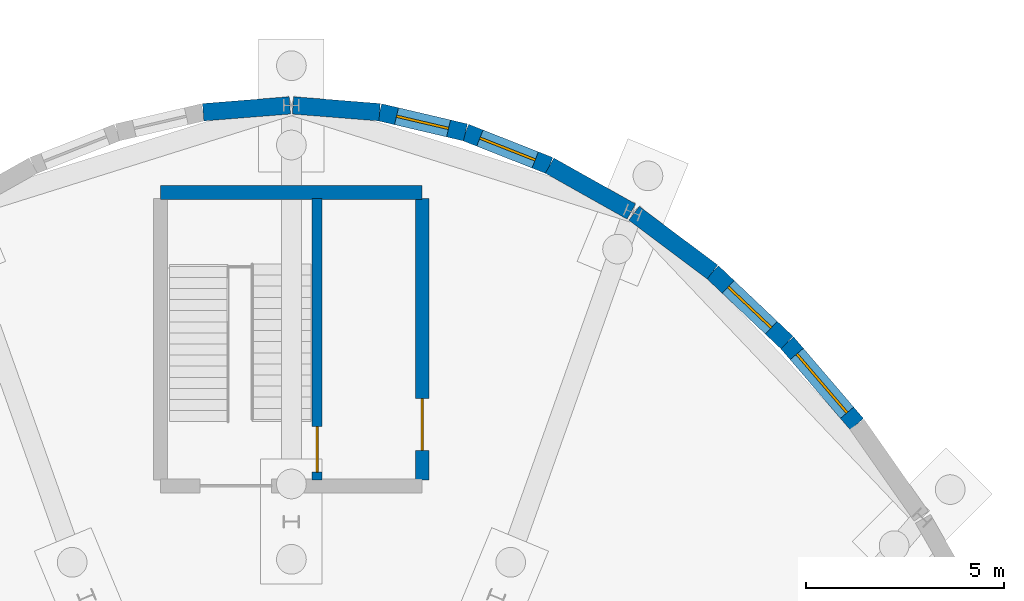
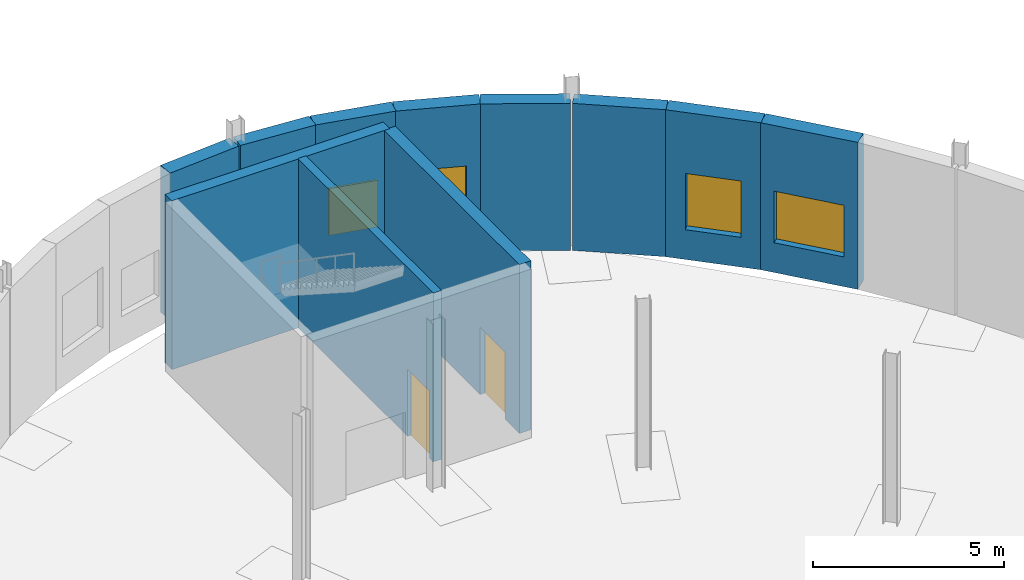
# One storey, part 101 of 118: 11 walls, 4 windows, 2 doors, 6 openings.
"""IFC4 building model written with IfcOpenShell, lengths in metres."""

from ifc_helpers import new_model, si_unit, direction, frame, frame_2d, origin, place, context, subcontext, project, spatial, rectangle, extrude, material, layer, layer_set, type_object, element, fill, save


model = new_model("IFC4")

# Units and contexts
model_context = context("Model", 3, precision=1e-05, world=origin(), true_north=direction((0.0, 1.0)))
body_context = subcontext(model_context, "Body", "Model", "MODEL_VIEW")
ifc_project = project(units=[si_unit("LENGTHUNIT", "METRE"), si_unit("AREAUNIT", "SQUARE_METRE"), si_unit("VOLUMEUNIT", "CUBIC_METRE"), si_unit("PLANEANGLEUNIT", "RADIAN"), si_unit("MASSUNIT", "GRAM", prefix="KILO")], contexts=[model_context])

# Site, building, storey
site_placement = place(None, origin())
site = spatial("IfcSite", under=ifc_project, at=site_placement, CompositionType="ELEMENT")
building_placement = place(site_placement, origin())
building = spatial("IfcBuilding", under=site, at=building_placement, Name="Kildeholm Park Wholesale Market", CompositionType="ELEMENT")
storey_placement = place(building_placement, origin())
storey = spatial("IfcBuildingStorey", under=building, at=storey_placement, Name="L00", CompositionType="ELEMENT", Elevation=0.0)

# Wall, opening, window
ifc_material_1 = material(Name="Insulated clinker brick and glazed ceramic mosaic facade wall", Category="masonry")
ifc_layer_1 = layer(ifc_material_1, 0.43994140625)
ifc_layer_set_1 = layer_set([ifc_layer_1], Name="Insulated clinker brick and glazed ceramic mosaic facade wall")
wall_type_1 = type_object("IfcWallType", Name="Exterior wall W-EX3 440 mm", PredefinedType="SOLIDWALL", material=ifc_layer_set_1)
wall_1_placement = place(storey_placement, frame((202.260986328125, 121.958984375, 0.0), z_axis=(0.0, 0.0, 1.0), x_axis=(-0.650130504047, 0.759822563305, 0.0)))
wall_1 = element("IfcWall", 1, at=wall_1_placement, inside=storey, type_object=wall_type_1, Name="Oval hall ground wall 3.2 WL-0220", PredefinedType="SOLIDWALL", context=body_context, shape_type="SweptSolid", body=[
    extrude(rectangle(XDim=2.708740234375, YDim=0.43994140625, at=frame_2d((1.3544921875, 0.0))), origin(), (0.0, 0.0, 1.0), 4.699951171875),
])
opening_1_placement = place(wall_1_placement, frame((0.37890625, 0.0, 0.949951171875)))
opening_1 = element("IfcOpeningElement", 2, at=opening_1_placement, cuts=wall_1, Name="Opening WN-22", PredefinedType="OPENING", context=body_context, shape_type="SweptSolid", body=[
    extrude(rectangle(XDim=1.949951171875, YDim=1.64990234375, at=frame_2d((0.97509765625, 0.824951171875))), frame((0.0, 0.22998046875, 0.0), z_axis=(0.0, -1.0, 0.0), x_axis=(1.0, 0.0, 0.0)), (0.0, 0.0, 1.0), 0.4599609375),
])
ifc_material_2 = material(Name="Thermally broken aluminium and triple-glazed low-E glass", Category="aluminium")
window_type_1 = type_object("IfcWindowType", Name="Window WN-22 1950x1650", PartitioningType="DOUBLE_PANEL_VERTICAL", PredefinedType="WINDOW", material=ifc_material_2)
window_1_placement = place(opening_1_placement, origin())
window_1 = element("IfcWindow", 3, at=window_1_placement, inside=storey, type_object=window_type_1, Name="Oval hall ground window 3.1 WIN-0052", OverallHeight=1.64990234375, OverallWidth=1.949951171875, PartitioningType="SINGLE_PANEL", PredefinedType="WINDOW", context=body_context, shape_type="SweptSolid", body=[
    extrude(rectangle(XDim=1.949951171875, YDim=1.64990234375, at=frame_2d((0.97509765625, 0.824951171875))), frame((0.0, 0.030029296875, 0.0), z_axis=(0.0, -1.0, 0.0), x_axis=(1.0, 0.0, 0.0)), (0.0, 0.0, 1.0), 0.06005859375),
])
fill(opening_1, window_1)

wall_2_placement = place(storey_placement, frame((200.5, 124.01708984375, 0.0), z_axis=(0.0, 0.0, 1.0), x_axis=(-0.726185715467, 0.687498586654, 0.0)))
wall_2 = element("IfcWall", 4, at=wall_2_placement, inside=storey, type_object=wall_type_1, Name="Oval hall ground wall 3.3 WL-0221", PredefinedType="SOLIDWALL", context=body_context, shape_type="SweptSolid", body=[
    extrude(rectangle(XDim=2.58740234375, YDim=0.43994140625, at=frame_2d((1.293701171875, 0.0))), origin(), (0.0, 0.0, 1.0), 4.699951171875),
])
opening_2_placement = place(wall_2_placement, frame((0.5439453125, 0.0, 0.949951171875)))
opening_2 = element("IfcOpeningElement", 5, at=opening_2_placement, cuts=wall_2, Name="Opening WN-06", PredefinedType="OPENING", context=body_context, shape_type="SweptSolid", body=[
    extrude(rectangle(XDim=1.5, YDim=1.800048828125, at=frame_2d((0.75, 0.89990234375))), frame((0.0, 0.22998046875, 0.0), z_axis=(0.0, -1.0, 0.0), x_axis=(1.0, 0.0, 0.0)), (0.0, 0.0, 1.0), 0.4599609375),
])
window_type_2 = type_object("IfcWindowType", Name="Window WN-06 1500x1800", PartitioningType="DOUBLE_PANEL_VERTICAL", PredefinedType="WINDOW", material=ifc_material_2)
window_2_placement = place(opening_2_placement, origin())
window_2 = element("IfcWindow", 6, at=window_2_placement, inside=storey, type_object=window_type_2, Name="Oval hall ground window 3.2 WIN-0053", OverallHeight=1.800048828125, OverallWidth=1.5, PartitioningType="SINGLE_PANEL", PredefinedType="WINDOW", context=body_context, shape_type="SweptSolid", body=[
    extrude(rectangle(XDim=1.5, YDim=1.800048828125, at=frame_2d((0.75, 0.89990234375))), frame((0.0, 0.030029296875, 0.0), z_axis=(0.0, -1.0, 0.0), x_axis=(1.0, 0.0, 0.0)), (0.0, 0.0, 1.0), 0.06005859375),
])
fill(opening_2, window_2)

# Walls
wall_3_placement = place(storey_placement, frame((198.62109375, 125.7958984375, 0.0), z_axis=(0.0, 0.0, 1.0), x_axis=(-0.800544553706, 0.599273241128, 0.0)))
element("IfcWall", 7, at=wall_3_placement, inside=storey, type_object=wall_type_1, Name="Oval hall ground wall 3.4 WL-0222", PredefinedType="SOLIDWALL", context=body_context, shape_type="SweptSolid", body=[
    extrude(rectangle(XDim=2.473388671875, YDim=0.43994140625, at=frame_2d((1.23681640625, 0.0))), origin(), (0.0, 0.0, 1.0), 4.699951171875),
])
wall_4_placement = place(storey_placement, frame((196.573974609375, 127.321044921875, 0.0), z_axis=(0.0, 0.0, 1.0), x_axis=(-0.871647221565, 0.490133778817, 0.0)))
element("IfcWall", 8, at=wall_4_placement, inside=storey, type_object=wall_type_1, Name="Oval hall ground wall 4.1 WL-0225", PredefinedType="SOLIDWALL", context=body_context, shape_type="SweptSolid", body=[
    extrude(rectangle(XDim=2.364501953125, YDim=0.43994140625, at=frame_2d((1.18212890625, 0.0))), origin(), (0.0, 0.0, 1.0), 4.699951171875),
])

# Wall, opening, window
wall_5_placement = place(storey_placement, frame((194.512939453125, 128.47998046875, 0.0), z_axis=(0.0, 0.0, 1.0), x_axis=(-0.930141762333, 0.367200629035, 0.0)))
wall_5 = element("IfcWall", 9, at=wall_5_placement, inside=storey, type_object=wall_type_1, Name="Oval hall ground wall 4.2 WL-0226", PredefinedType="SOLIDWALL", context=body_context, shape_type="SweptSolid", body=[
    extrude(rectangle(XDim=2.282470703125, YDim=0.43994140625, at=frame_2d((1.14111328125, 0.0))), origin(), (0.0, 0.0, 1.0), 4.699951171875),
])
opening_3_placement = place(wall_5_placement, frame((0.39111328125, 0.0, 0.949951171875)))
opening_3 = element("IfcOpeningElement", 10, at=opening_3_placement, cuts=wall_5, Name="Opening WN-06", PredefinedType="OPENING", context=body_context, shape_type="SweptSolid", body=[
    extrude(rectangle(XDim=1.5, YDim=1.800048828125, at=frame_2d((0.75, 0.89990234375))), frame((0.0, 0.22998046875, 0.0), z_axis=(0.0, -1.0, 0.0), x_axis=(1.0, 0.0, 0.0)), (0.0, 0.0, 1.0), 0.4599609375),
])
window_3_placement = place(opening_3_placement, origin())
window_3 = element("IfcWindow", 11, at=window_3_placement, inside=storey, type_object=window_type_2, Name="Oval hall ground window 4.1 WIN-0054", OverallHeight=1.800048828125, OverallWidth=1.5, PartitioningType="SINGLE_PANEL", PredefinedType="WINDOW", context=body_context, shape_type="SweptSolid", body=[
    extrude(rectangle(XDim=1.5, YDim=1.800048828125, at=frame_2d((0.75, 0.89990234375))), frame((0.0, 0.030029296875, 0.0), z_axis=(0.0, -1.0, 0.0), x_axis=(1.0, 0.0, 0.0)), (0.0, 0.0, 1.0), 0.06005859375),
])
fill(opening_3, window_3)

wall_6_placement = place(storey_placement, frame((192.389892578125, 129.318115234375, 0.0), z_axis=(0.0, 0.0, 1.0), x_axis=(-0.973572460089, 0.228378337317, 0.0)))
wall_6 = element("IfcWall", 12, at=wall_6_placement, inside=storey, type_object=wall_type_1, Name="Oval hall ground wall 4.3 WL-0227", PredefinedType="SOLIDWALL", context=body_context, shape_type="SweptSolid", body=[
    extrude(rectangle(XDim=2.2236328125, YDim=0.43994140625, at=frame_2d((1.11181640625, 0.0))), origin(), (0.0, 0.0, 1.0), 4.699951171875),
])
opening_4_placement = place(wall_6_placement, frame((0.43701171875, 0.0, 0.949951171875)))
opening_4 = element("IfcOpeningElement", 13, at=opening_4_placement, cuts=wall_6, Name="Opening WN-10", PredefinedType="OPENING", context=body_context, shape_type="SweptSolid", body=[
    extrude(rectangle(XDim=1.35009765625, YDim=1.5, at=frame_2d((0.675048828125, 0.75))), frame((0.0, 0.22998046875, 0.0), z_axis=(0.0, -1.0, 0.0), x_axis=(1.0, 0.0, 0.0)), (0.0, 0.0, 1.0), 0.4599609375),
])
window_type_3 = type_object("IfcWindowType", Name="Window WN-10 1350x1500", PartitioningType="SINGLE_PANEL", PredefinedType="WINDOW", material=ifc_material_2)
window_4_placement = place(opening_4_placement, origin())
window_4 = element("IfcWindow", 14, at=window_4_placement, inside=storey, type_object=window_type_3, Name="Oval hall ground window 4.2 WIN-0055", OverallHeight=1.5, OverallWidth=1.35009765625, PartitioningType="SINGLE_PANEL", PredefinedType="WINDOW", context=body_context, shape_type="SweptSolid", body=[
    extrude(rectangle(XDim=1.35009765625, YDim=1.5, at=frame_2d((0.675048828125, 0.75))), frame((0.0, 0.030029296875, 0.0), z_axis=(0.0, -1.0, 0.0), x_axis=(1.0, 0.0, 0.0)), (0.0, 0.0, 1.0), 0.06005859375),
])
fill(opening_4, window_4)

# Walls
for number, where, z_axis, x_axis, name in (
    (15, (190.22509765625, 129.825927734375, 0.0), (0.0, 0.0, 1.0), (-0.996844591963, 0.079377953325, 0.0), "Oval hall ground wall 4.4 WL-0228"),
    (16, (187.9609375, 130.0, 0.0), (0.0, 0.0, 1.0), (-0.996844591963, -0.079377953325, 0.0), "Oval hall ground wall 5.1 WL-0231"),
):
    element("IfcWall", number, at=place(storey_placement, frame(where, z_axis=z_axis, x_axis=x_axis)), inside=storey, type_object=wall_type_1, Name=name, PredefinedType="SOLIDWALL", context=body_context, shape_type="SweptSolid", body=[
        extrude(rectangle(XDim=2.19287109375, YDim=0.43994140625, at=frame_2d((1.096435546875, 0.0))), origin(), (0.0, 0.0, 1.0), 4.699951171875),
    ])

# Wall, opening, door
ifc_material_3 = material(Name="Concrete C40/50", Category="concrete")
ifc_layer_2 = layer(ifc_material_3, 0.25)
ifc_layer_set_2 = layer_set([ifc_layer_2], Name="Concrete C40/50")
wall_type_2 = type_object("IfcWallType", Name="Shear wall W-SH2 250 mm", PredefinedType="SHEAR", material=ifc_layer_set_2)
wall_7_placement = place(storey_placement, frame((188.64990234375, 120.550048828125, 0.0), z_axis=(0.0, 0.0, 1.0), x_axis=(0.0, 1.0, 0.0)))
wall_7 = element("IfcWall", 17, at=wall_7_placement, inside=storey, type_object=wall_type_2, Name="Core C13 shaft wall L00 WL-0880", PredefinedType="SHEAR", context=body_context, shape_type="SweptSolid", body=[
    extrude(rectangle(XDim=7.099853515625, YDim=0.25, at=frame_2d((3.5498046875, 0.0))), origin(), (0.0, 0.0, 1.0), 5.39990234375),
])
opening_5_placement = place(wall_7_placement, frame((0.199951171875, 0.0, 0.0)))
opening_5 = element("IfcOpeningElement", 18, at=opening_5_placement, cuts=wall_7, Name="Opening D-CR01", PredefinedType="OPENING", context=body_context, shape_type="SweptSolid", body=[
    extrude(rectangle(XDim=1.14990234375, YDim=2.14990234375, at=frame_2d((0.574951171875, 1.074951171875))), frame((0.0, 0.135009765625, 0.0), z_axis=(0.0, -1.0, 0.0), x_axis=(1.0, 0.0, 0.0)), (0.0, 0.0, 1.0), 0.27001953125),
])
ifc_material_4 = material(Name="Painted steel fire escape doorset", Category="steel")
door_type_1 = type_object("IfcDoorType", Name="Interior door D-CR01 1150x2150", OperationType="NOTDEFINED", PredefinedType="DOOR", material=ifc_material_4)
door_1_placement = place(opening_5_placement, origin())
door_1 = element("IfcDoor", 19, at=door_1_placement, inside=storey, type_object=door_type_1, Name="Core C13 stair fire door L00 DR-0191 WL-0880", OperationType="SINGLE_SWING_RIGHT", OverallHeight=2.14990234375, OverallWidth=1.14990234375, PredefinedType="DOOR", context=body_context, shape_type="SweptSolid", body=[
    extrude(rectangle(XDim=1.14990234375, YDim=2.14990234375, at=frame_2d((0.574951171875, 1.074951171875))), frame((0.0, 0.02490234375, 0.0), z_axis=(0.0, -1.0, 0.0), x_axis=(1.0, 0.0, 0.0)), (0.0, 0.0, 1.0), 0.050048828125),
])
fill(opening_5, door_1)

# Wall
ifc_layer_3 = layer(ifc_material_3, 0.35009765625)
ifc_layer_set_3 = layer_set([ifc_layer_3], Name="Concrete C40/50")
wall_type_3 = type_object("IfcWallType", Name="Shear wall W-SH3 350 mm", PredefinedType="SHEAR", material=ifc_layer_set_3)
wall_8_placement = place(storey_placement, frame((184.699951171875, 127.800048828125, 0.0), z_axis=(0.0, 0.0, 1.0), x_axis=(1.0, 0.0, 0.0)))
element("IfcWall", 20, at=wall_8_placement, inside=storey, type_object=wall_type_3, Name="Core C13 north shear wall L00 WL-0877", PredefinedType="SHEAR", context=body_context, shape_type="SweptSolid", body=[
    extrude(rectangle(XDim=6.60009765625, YDim=0.35009765625, at=frame_2d((3.300048828125, 0.0))), origin(), (0.0, 0.0, 1.0), 5.39990234375),
])

# Wall, opening, door
wall_9_placement = place(storey_placement, frame((191.300048828125, 120.550048828125, 0.0), z_axis=(0.0, 0.0, 1.0), x_axis=(0.0, 1.0, 0.0)))
wall_9 = element("IfcWall", 21, at=wall_9_placement, inside=storey, type_object=wall_type_3, Name="Core C13 east shear wall L00 WL-0879", PredefinedType="SHEAR", context=body_context, shape_type="SweptSolid", body=[
    extrude(rectangle(XDim=7.099853515625, YDim=0.35009765625, at=frame_2d((3.5498046875, 0.0))), origin(), (0.0, 0.0, 1.0), 5.39990234375),
])
opening_6_placement = place(wall_9_placement, frame((0.75, 0.0, 0.0)))
opening_6 = element("IfcOpeningElement", 22, at=opening_6_placement, cuts=wall_9, Name="Opening D-CR02", PredefinedType="OPENING", context=body_context, shape_type="SweptSolid", body=[
    extrude(rectangle(XDim=1.300048828125, YDim=2.14990234375, at=frame_2d((0.64990234375, 1.074951171875))), frame((0.0, 0.18505859375, 0.0), z_axis=(0.0, -1.0, 0.0), x_axis=(1.0, 0.0, 0.0)), (0.0, 0.0, 1.0), 0.3701171875),
])
ifc_material_5 = material(Name="Painted steel core lobby double-leaf doorset", Category="steel")
door_type_2 = type_object("IfcDoorType", Name="Interior door D-CR02 1300x2150", OperationType="NOTDEFINED", PredefinedType="DOOR", material=ifc_material_5)
door_2_placement = place(opening_6_placement, frame((1.300048828125, 0.0, 0.0), z_axis=(0.0, 0.0, 1.0), x_axis=(-1.0, 0.0, 0.0)))
door_2 = element("IfcDoor", 23, at=door_2_placement, inside=storey, type_object=door_type_2, Name="Core C13 lobby entrance door L00 DR-0190 WL-0879", OperationType="DOUBLE_DOOR_SINGLE_SWING", OverallHeight=2.14990234375, OverallWidth=1.300048828125, PredefinedType="DOOR", context=body_context, shape_type="SweptSolid", body=[
    extrude(rectangle(XDim=1.300048828125, YDim=2.14990234375, at=frame_2d((0.64990234375, 1.074951171875))), frame((0.0, 0.02490234375, 0.0), z_axis=(0.0, -1.0, 0.0), x_axis=(1.0, 0.0, 0.0)), (0.0, 0.0, 1.0), 0.050048828125),
])
fill(opening_6, door_2)

save(model, "model.ifc")
